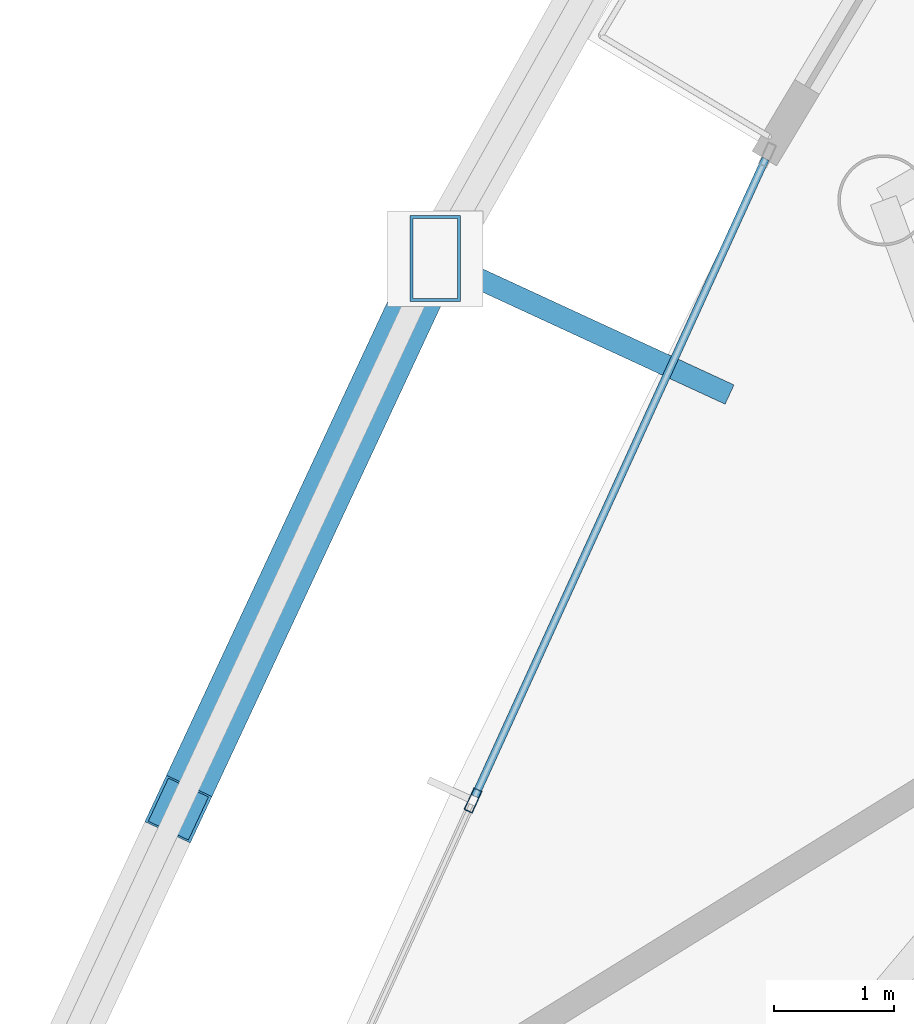
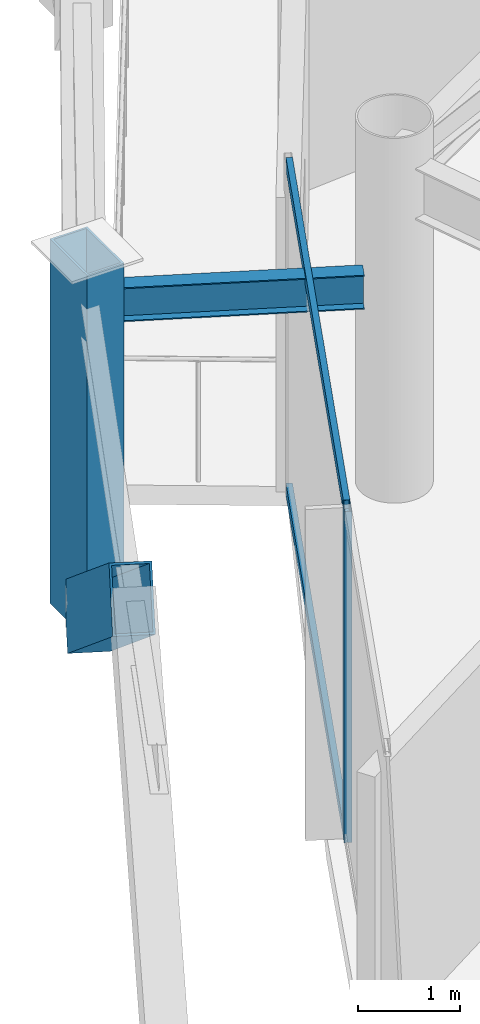
# One storey, part 8 of 33: 5 members, 1 beam, 1 element without a shape of its own.
"""IFC4 building model written with IfcOpenShell, lengths in metres."""

from ifc_helpers import new_model, si_unit, direction, frame, origin, origin_2d, place, context, subcontext, project, spatial, hollow_rectangle, i_section, extrude, material, layer, layer_set, material_profile, profile_set, type_object, element, aggregate, save


model = new_model("IFC4")

# Units and contexts
model_context = context("Model", 3, precision=1e-05, world=origin(), true_north=direction((0.0, 1.0)))
body_context = subcontext(model_context, "Body", "Model", "MODEL_VIEW")
ifc_project = project(units=[si_unit("LENGTHUNIT", "METRE"), si_unit("AREAUNIT", "SQUARE_METRE"), si_unit("VOLUMEUNIT", "CUBIC_METRE"), si_unit("PLANEANGLEUNIT", "RADIAN"), si_unit("MASSUNIT", "GRAM", prefix="KILO")], contexts=[model_context])

# Site, building, storey
site_placement = place(None, origin())
site = spatial("IfcSite", under=ifc_project, at=site_placement, CompositionType="ELEMENT")
building_placement = place(site_placement, origin())
building = spatial("IfcBuilding", under=site, at=building_placement, Name="Orvanel Arch Residences", CompositionType="ELEMENT")
storey_placement = place(building_placement, frame((0.0, 0.0, 97.25)))
storey = spatial("IfcBuildingStorey", under=building, at=storey_placement, Name="L27", CompositionType="ELEMENT", Elevation=97.25)

# Members
ifc_material_1 = material(Name="Structural steel AS/NZS 3678 Grade 350", Category="steel")
ifc_material_profile_1 = material_profile(ifc_material_1, hollow_rectangle(XDim=0.419921875, YDim=0.719970703125, WallThickness=0.02490234375, at=origin_2d()), Name="RHS720x420x25")
ifc_profile_set_1 = profile_set([ifc_material_profile_1], Name="Structural steel AS/NZS 3678 Grade 350")
member_type_1 = type_object("IfcMemberType", Name="BR-720RHS-EXT", PredefinedType="BRACE", material=ifc_profile_set_1)
member_1_placement = place(storey_placement, frame((10.9140625, 23.76806640625, 0.0), z_axis=(-0.340387158948, -0.729340292183, 0.593463832278), x_axis=(0.906169638658, -0.422914395563, 0.0)))
element("IfcMember", 1, at=member_1_placement, inside=storey, type_object=member_type_1, Name="L27 Exterior Sky-Garden V-Frame Chevron F1B3.1", PredefinedType="BRACE", context=body_context, shape_type="SweptSolid", body=[
    extrude(hollow_rectangle(XDim=0.419921875, YDim=0.719970703125, WallThickness=0.02490234375, at=origin_2d()), origin(), (0.0, 0.0, 1.0), 6.31396484375),
])
ifc_material_profile_2 = material_profile(ifc_material_1, hollow_rectangle(XDim=0.419921875, YDim=0.719970703125, WallThickness=0.02490234375, at=origin_2d()), Name="RHS720x420x25")
ifc_profile_set_2 = profile_set([ifc_material_profile_2], Name="Structural steel AS/NZS 3678 Grade 350")
member_type_2 = type_object("IfcMemberType", Name="CH-720RHS-EXT", PredefinedType="CHORD", material=ifc_profile_set_2)
member_2_placement = place(storey_placement, frame((10.9140625, 23.76806640625, 0.0), z_axis=(0.0, 0.0, 1.0), x_axis=(1.0, 0.0, 0.0)))
element("IfcMember", 2, at=member_2_placement, inside=storey, type_object=member_type_2, Name="L27 Outer Perimeter Frame Post 03", PredefinedType="CHORD", context=body_context, shape_type="SweptSolid", body=[
    extrude(hollow_rectangle(XDim=0.419921875, YDim=0.719970703125, WallThickness=0.02490234375, at=origin_2d()), origin(), (0.0, 0.0, 1.0), 4.35009765625),
])

# Curtain wall, member
ifc_material_2 = material(Name="Bronze-anodised aluminium AA6063-T6", Category="aluminium")
ifc_layer = layer(ifc_material_2, 0.195068359375)
ifc_layer_set = layer_set([ifc_layer], Name="Bronze-anodised aluminium AA6063-T6")
curtain_wall_type = type_object("IfcCurtainWallType", Name="CW6-COM-SYS", PredefinedType="NOTDEFINED", material=ifc_layer_set)
curtain_wall_placement = place(storey_placement, origin())
curtain_wall = element("IfcCurtainWall", 3, at=curtain_wall_placement, inside=storey, type_object=curtain_wall_type, Name="L27 CW6-COM-SYS Unitised Curtain Wall", PredefinedType="NOTDEFINED")
ifc_material_profile_3 = material_profile(ifc_material_2, hollow_rectangle(XDim=0.074951171875, YDim=0.199951171875, WallThickness=0.0048828125, at=origin_2d()), Name="ALU200x75x5")
ifc_profile_set_3 = profile_set([ifc_material_profile_3], Name="Bronze-anodised aluminium AA6063-T6")
member_type_3 = type_object("IfcMemberType", Name="MUL-200x75", PredefinedType="MULLION", material=ifc_profile_set_3)
member_3_placement = place(storey_placement, frame((11.22998046875, 19.235595703125, 0.0), z_axis=(0.0, 0.0, 1.0), x_axis=(0.909928413653, -0.414765333685, 0.0)))
member_3 = element("IfcMember", 4, at=member_3_placement, type_object=member_type_3, Name="CW-S6 mullion 2", PredefinedType="MULLION", context=body_context, shape_type="SweptSolid", body=[
    extrude(hollow_rectangle(XDim=0.074951171875, YDim=0.199951171875, WallThickness=0.0048828125, at=origin_2d()), origin(), (0.0, 0.0, 1.0), 3.949951171875),
])

# Beam
ifc_material_3 = material(Name="Structural steel AS/NZS 3679.1 Grade 300 (300 MPa)", Category="steel")
ifc_material_profile_4 = material_profile(ifc_material_3, i_section(OverallWidth=0.177978515625, OverallDepth=0.406005859375, WebThickness=0.0078125, FlangeThickness=0.0126953125, at=origin_2d()), Name="410UB59.7")
ifc_profile_set_4 = profile_set([ifc_material_profile_4], Name="Structural steel AS/NZS 3679.1 Grade 300 (300 MPa)")
beam_type = type_object("IfcBeamType", Name="OB-410UB-EXT", PredefinedType="SPANDREL", material=ifc_profile_set_4)
beam_placement = place(storey_placement, frame((13.3759765625, 22.631103515625, 3.7470703125), z_axis=(-0.907861864095, 0.41926940709, 0.0), x_axis=(-0.41926940709, -0.907861864095, 0.0)))
element("IfcBeam", 5, at=beam_placement, inside=storey, type_object=beam_type, Name="L27 Outer Frame Radial Tie Beam 03", PredefinedType="SPANDREL", context=body_context, shape_type="SweptSolid", body=[
    extrude(i_section(OverallWidth=0.177978515625, OverallDepth=0.406005859375, WebThickness=0.0078125, FlangeThickness=0.0126953125, at=origin_2d()), origin(), (0.0, 0.0, 1.0), 2.711669921875),
])

# Member
ifc_material_profile_5 = material_profile(ifc_material_2, hollow_rectangle(XDim=0.06494140625, YDim=0.14990234375, WallThickness=0.00390625, at=origin_2d()), Name="ALU150x65x4")
ifc_profile_set_5 = profile_set([ifc_material_profile_5], Name="Bronze-anodised aluminium AA6063-T6")
member_type_4 = type_object("IfcMemberType", Name="TRN-150x65", PredefinedType="USERDEFINED", material=ifc_profile_set_5)
member_4_placement = place(storey_placement, frame((13.677001953125, 24.603759765625, 0.032470703125), z_axis=(-0.414772308983, -0.909925234127, 0.0), x_axis=(0.909925234127, -0.414772308983, 0.0)))
member_4 = element("IfcMember", 6, at=member_4_placement, type_object=member_type_4, Name="CW-S6 transom 1.1", ObjectType="TRANSOM", PredefinedType="USERDEFINED", context=body_context, shape_type="SweptSolid", body=[
    extrude(hollow_rectangle(XDim=0.06494140625, YDim=0.14990234375, WallThickness=0.00390625, at=origin_2d()), origin(), (0.0, 0.0, 1.0), 5.862060546875),
])

member_5_placement = place(storey_placement, frame((13.677001953125, 24.603759765625, 3.91748046875), z_axis=(-0.414772308983, -0.909925234127, 0.0), x_axis=(0.909925234127, -0.414772308983, 0.0)))
member_5 = element("IfcMember", 7, at=member_5_placement, type_object=member_type_4, Name="CW-S6 transom 1.2", ObjectType="TRANSOM", PredefinedType="USERDEFINED", context=body_context, shape_type="SweptSolid", body=[
    extrude(hollow_rectangle(XDim=0.06494140625, YDim=0.14990234375, WallThickness=0.00390625, at=origin_2d()), origin(), (0.0, 0.0, 1.0), 5.862060546875),
])

aggregate(curtain_wall, [member_3, member_4, member_5])

save(model, "model.ifc")
